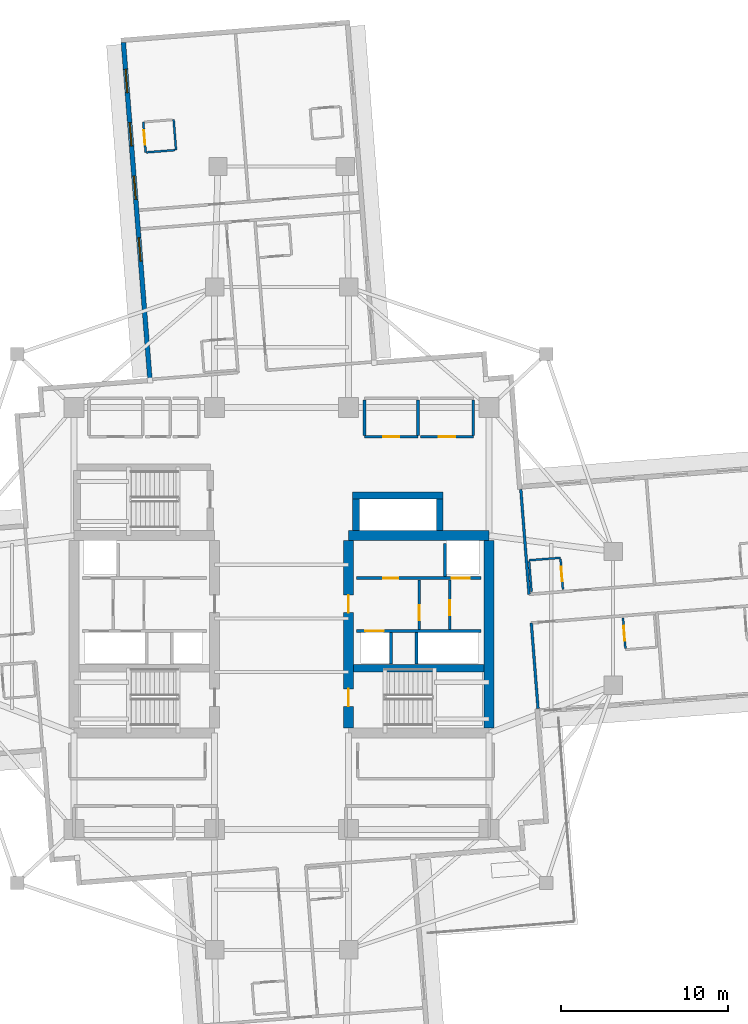
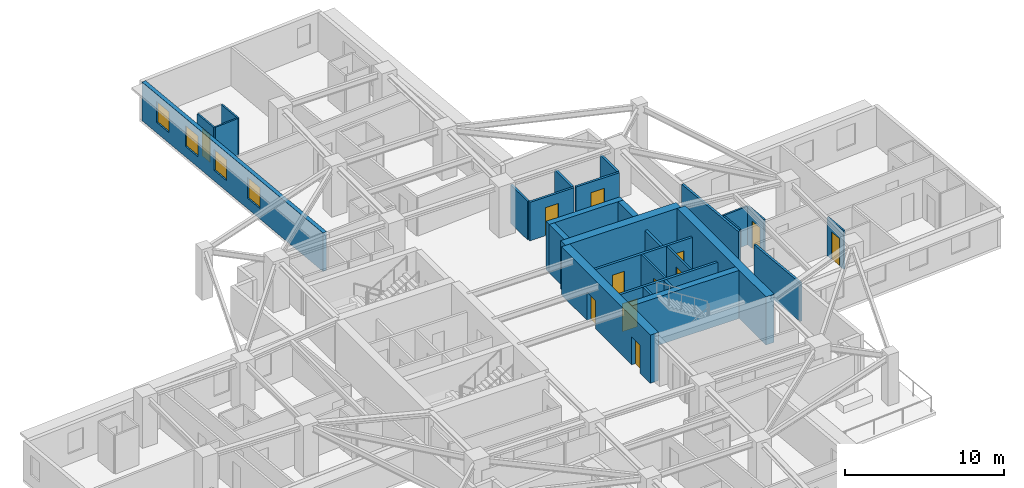
# One storey, part 7 of 14: 29 walls, 12 doors, 4 windows, 16 openings.
"""IFC4 building model written with IfcOpenShell, lengths in metres."""

from ifc_helpers import new_model, si_unit, direction, frame, frame_2d, origin, place, context, subcontext, project, spatial, rectangle, extrude, material, layer, layer_set, type_object, element, fill, save


model = new_model("IFC4")

# Units and contexts
model_context = context("Model", 3, precision=1e-05, world=origin(), true_north=direction((0.0, 1.0)))
body_context = subcontext(model_context, "Body", "Model", "MODEL_VIEW")
ifc_project = project(units=[si_unit("LENGTHUNIT", "METRE"), si_unit("AREAUNIT", "SQUARE_METRE"), si_unit("VOLUMEUNIT", "CUBIC_METRE"), si_unit("PLANEANGLEUNIT", "RADIAN"), si_unit("MASSUNIT", "GRAM", prefix="KILO")], contexts=[model_context])

# Site, building, storey
site_placement = place(None, origin())
site = spatial("IfcSite", under=ifc_project, at=site_placement, CompositionType="ELEMENT")
building_placement = place(site_placement, origin())
building = spatial("IfcBuilding", under=site, at=building_placement, Name="Qingluan Cross Belvedere", CompositionType="ELEMENT")
storey_placement = place(building_placement, frame((0.0, 0.0, 124.199951171875)))
storey = spatial("IfcBuildingStorey", under=building, at=storey_placement, Name="L31", CompositionType="ELEMENT", Elevation=124.199951171875)

# Walls
ifc_material_1 = material(Name="Concrete C50", Category="concrete")
ifc_layer_1 = layer(ifc_material_1, 0.449951171875, Name="CoreShearWall_450")
ifc_layer_set_1 = layer_set([ifc_layer_1], Name="Concrete C50")
wall_type_1 = type_object("IfcWallType", Name="CoreShearWall_450", PredefinedType="SHEAR", material=ifc_layer_set_1)
wall_1_placement = place(storey_placement, frame((4.304931640625, -2.9599609375, 0.0), z_axis=(0.0, 0.0, 1.0), x_axis=(1.0, 0.0, 0.0)))
element("IfcWall", 1, at=wall_1_placement, inside=storey, type_object=wall_type_1, Name="Split core E shear wall L31-M", PredefinedType="SHEAR", context=body_context, shape_type="SweptSolid", body=[
    extrude(rectangle(XDim=7.7900390625, YDim=0.449951171875, at=frame_2d((3.89501953125, 0.0))), origin(), (0.0, 0.0, 1.0), 3.699951171875),
])
wall_2_placement = place(storey_placement, frame((4.449951171875, 5.2548828125, 0.0), z_axis=(0.0, 0.0, 1.0), x_axis=(0.0, 1.0, 0.0)))
element("IfcWall", 2, at=wall_2_placement, inside=storey, type_object=wall_type_1, Name="Express shuttle core wall L31-W", PredefinedType="SHEAR", context=body_context, shape_type="SweptSolid", body=[
    extrude(rectangle(XDim=1.885009765625, YDim=0.39990234375, at=frame_2d((0.9423828125, 0.0))), origin(), (0.0, 0.0, 1.0), 3.699951171875),
])
wall_3_placement = place(storey_placement, frame((4.25, 7.35009765625, 0.0), z_axis=(0.0, 0.0, 1.0), x_axis=(1.0, 0.0, 0.0)))
element("IfcWall", 3, at=wall_3_placement, inside=storey, type_object=wall_type_1, Name="Express shuttle core wall L31-N", PredefinedType="SHEAR", context=body_context, shape_type="SweptSolid", body=[
    extrude(rectangle(XDim=5.39990234375, YDim=0.39990234375, at=frame_2d((2.699951171875, 0.0))), origin(), (0.0, 0.0, 1.0), 3.699951171875),
])
wall_4_placement = place(storey_placement, frame((9.449951171875, 5.2548828125, 0.0), z_axis=(0.0, 0.0, 1.0), x_axis=(0.0, 1.0, 0.0)))
element("IfcWall", 4, at=wall_4_placement, inside=storey, type_object=wall_type_1, Name="Express shuttle core wall L31-E", PredefinedType="SHEAR", context=body_context, shape_type="SweptSolid", body=[
    extrude(rectangle(XDim=1.885009765625, YDim=0.39990234375, at=frame_2d((0.9423828125, 0.0))), origin(), (0.0, 0.0, 1.0), 3.699951171875),
])
ifc_material_2 = material(Name="Concrete C60", Category="concrete")
ifc_layer_2 = layer(ifc_material_2, 0.60009765625, Name="CoreShearWall_600")
ifc_layer_set_2 = layer_set([ifc_layer_2], Name="Concrete C60")
wall_type_2 = type_object("IfcWallType", Name="CoreShearWall_600", PredefinedType="SHEAR", material=ifc_layer_set_2)
wall_5_placement = place(storey_placement, frame((4.0, 4.949951171875, 0.0), z_axis=(0.0, 0.0, 1.0), x_axis=(1.0, 0.0, 0.0)))
element("IfcWall", 5, at=wall_5_placement, inside=storey, type_object=wall_type_2, Name="Split core E shear wall L31-N", PredefinedType="SHEAR", context=body_context, shape_type="SweptSolid", body=[
    extrude(rectangle(XDim=8.39990234375, YDim=0.60009765625, at=frame_2d((4.199951171875, 0.0))), origin(), (0.0, 0.0, 1.0), 3.699951171875),
])

# Wall, openings, doors
wall_6_placement = place(storey_placement, frame((4.0, -6.544921875, 0.0), z_axis=(0.0, 0.0, 1.0), x_axis=(0.0, 1.0, 0.0)))
wall_6 = element("IfcWall", 6, at=wall_6_placement, inside=storey, type_object=wall_type_2, Name="Split core E shear wall L31-W", PredefinedType="SHEAR", context=body_context, shape_type="SweptSolid", body=[
    extrude(rectangle(XDim=11.18994140625, YDim=0.60009765625, at=frame_2d((5.594970703125, 0.0))), origin(), (0.0, 0.0, 1.0), 3.699951171875),
])
opening_1_placement = place(wall_6_placement, frame((1.294921875, 0.0, 0.0)))
opening_1 = element("IfcOpeningElement", 7, at=opening_1_placement, cuts=wall_6, Name="Opening FD-B11", PredefinedType="OPENING", context=body_context, shape_type="SweptSolid", body=[
    extrude(rectangle(XDim=1.050048828125, YDim=2.14990234375, at=frame_2d((0.52490234375, 1.074951171875))), frame((0.0, 0.31005859375, 0.0), z_axis=(0.0, -1.0, 0.0), x_axis=(1.0, 0.0, 0.0)), (0.0, 0.0, 1.0), 0.6201171875),
])
opening_2_placement = place(wall_6_placement, frame((6.89501953125, 0.0, 0.0)))
opening_2 = element("IfcOpeningElement", 8, at=opening_2_placement, cuts=wall_6, Name="Opening FD-B11", PredefinedType="OPENING", context=body_context, shape_type="SweptSolid", body=[
    extrude(rectangle(XDim=1.050048828125, YDim=2.14990234375, at=frame_2d((0.52490234375, 1.074951171875))), frame((0.0, 0.31005859375, 0.0), z_axis=(0.0, -1.0, 0.0), x_axis=(1.0, 0.0, 0.0)), (0.0, 0.0, 1.0), 0.6201171875),
])
ifc_material_3 = material(Name="Steel Class B smoke-seal fire door", Category="steel")
door_type_1 = type_object("IfcDoorType", Name="StairLobbyFireDoor_FDB", OperationType="NOTDEFINED", PredefinedType="DOOR", material=ifc_material_3)
door_1_placement = place(opening_1_placement, origin())
door_1 = element("IfcDoor", 9, at=door_1_placement, inside=storey, type_object=door_type_1, Name="Smoke-proof stair ST2 fire door L31", OperationType="SINGLE_SWING_RIGHT", OverallHeight=2.14990234375, OverallWidth=1.050048828125, PredefinedType="DOOR", context=body_context, shape_type="SweptSolid", body=[
    extrude(rectangle(XDim=1.050048828125, YDim=2.14990234375, at=frame_2d((0.52490234375, 1.074951171875))), frame((0.0, 0.02490234375, 0.0), z_axis=(0.0, -1.0, 0.0), x_axis=(1.0, 0.0, 0.0)), (0.0, 0.0, 1.0), 0.050048828125),
])
fill(opening_1, door_1)
door_2_placement = place(opening_2_placement, origin())
door_2 = element("IfcDoor", 10, at=door_2_placement, inside=storey, type_object=door_type_1, Name="Firefighting lobby East fire door L31", OperationType="SINGLE_SWING_RIGHT", OverallHeight=2.14990234375, OverallWidth=1.050048828125, PredefinedType="DOOR", context=body_context, shape_type="SweptSolid", body=[
    extrude(rectangle(XDim=1.050048828125, YDim=2.14990234375, at=frame_2d((0.52490234375, 1.074951171875))), frame((0.0, 0.02490234375, 0.0), z_axis=(0.0, -1.0, 0.0), x_axis=(1.0, 0.0, 0.0)), (0.0, 0.0, 1.0), 0.050048828125),
])
fill(opening_2, door_2)

# Wall
wall_7_placement = place(storey_placement, frame((12.39990234375, -6.544921875, 0.0), z_axis=(0.0, 0.0, 1.0), x_axis=(0.0, 1.0, 0.0)))
element("IfcWall", 11, at=wall_7_placement, inside=storey, type_object=wall_type_2, Name="Split core E shear wall L31-E", PredefinedType="SHEAR", context=body_context, shape_type="SweptSolid", body=[
    extrude(rectangle(XDim=11.18994140625, YDim=0.60009765625, at=frame_2d((5.594970703125, 0.0))), origin(), (0.0, 0.0, 1.0), 3.699951171875),
])

# Wall, opening, door
ifc_material_4 = material(Name="Gypsum plasterboard on steel stud acoustic partition", Category="steel")
ifc_layer_3 = layer(ifc_material_4, 0.159912109375, Name="CorridorPartition_160")
ifc_layer_set_3 = layer_set([ifc_layer_3], Name="Gypsum plasterboard on steel stud acoustic partition")
wall_type_3 = type_object("IfcWallType", Name="CorridorPartition_160", PredefinedType="PARTITIONING", material=ifc_layer_set_3)
wall_8_placement = place(storey_placement, frame((10.050048828125, -0.652099609375, 0.0), z_axis=(0.0, 0.0, 1.0), x_axis=(0.0, 1.0, 0.0)))
wall_8 = element("IfcWall", 12, at=wall_8_placement, inside=storey, type_object=wall_type_3, Name="Partition L31:ev", PredefinedType="PARTITIONING", context=body_context, shape_type="SweptSolid", body=[
    extrude(rectangle(XDim=2.962158203125, YDim=0.139892578125, at=frame_2d((1.48095703125, 0.0))), origin(), (0.0, 0.0, 1.0), 2.9599609375),
])
opening_3_placement = place(wall_8_placement, frame((0.85009765625, 0.0, 0.0)))
opening_3 = element("IfcOpeningElement", 13, at=opening_3_placement, cuts=wall_8, Name="Opening FD-B10", PredefinedType="OPENING", context=body_context, shape_type="SweptSolid", body=[
    extrude(rectangle(XDim=0.8798828125, YDim=2.10009765625, at=frame_2d((0.43994140625, 1.050048828125))), frame((0.0, 0.079833984375, 0.0), z_axis=(0.0, -1.0, 0.0), x_axis=(1.0, 0.0, 0.0)), (0.0, 0.0, 1.0), 0.159912109375),
])
ifc_material_5 = material(Name="Steel Class B service fire door", Category="steel")
door_type_2 = type_object("IfcDoorType", Name="RiserServiceFireDoor_FDB", OperationType="NOTDEFINED", PredefinedType="DOOR", material=ifc_material_5)
door_3_placement = place(opening_3_placement, origin())
door_3 = element("IfcDoor", 14, at=door_3_placement, inside=storey, type_object=door_type_2, Name="Service closet inner door L31", OperationType="SINGLE_SWING_LEFT", OverallHeight=2.10009765625, OverallWidth=0.8798828125, PredefinedType="DOOR", context=body_context, shape_type="SweptSolid", body=[
    extrude(rectangle(XDim=0.8798828125, YDim=2.10009765625, at=frame_2d((0.43994140625, 1.050048828125))), frame((0.0, 0.02490234375, 0.0), z_axis=(0.0, -1.0, 0.0), x_axis=(1.0, 0.0, 0.0)), (0.0, 0.0, 1.0), 0.050048828125),
])
fill(opening_3, door_3)

wall_9_placement = place(storey_placement, frame((4.949951171875, 10.85009765625, 0.0), z_axis=(0.0, 0.0, 1.0), x_axis=(1.0, 0.0, 0.0)))
wall_9 = element("IfcWall", 15, at=wall_9_placement, inside=storey, type_object=wall_type_3, Name="Partition L31:q_ne1:S", PredefinedType="PARTITIONING", context=body_context, shape_type="SweptSolid", body=[
    extrude(rectangle(XDim=3.199951171875, YDim=0.159912109375, at=frame_2d((1.60009765625, 0.0))), origin(), (0.0, 0.0, 1.0), 2.9599609375),
])
opening_4_placement = place(wall_9_placement, frame((1.1201171875, 0.0, 0.0)))
opening_4 = element("IfcOpeningElement", 16, at=opening_4_placement, cuts=wall_9, Name="Opening GD-10", PredefinedType="OPENING", context=body_context, shape_type="SweptSolid", body=[
    extrude(rectangle(XDim=0.9599609375, YDim=2.14990234375, at=frame_2d((0.47998046875, 1.074951171875))), frame((0.0, 0.08984375, 0.0), z_axis=(0.0, -1.0, 0.0), x_axis=(1.0, 0.0, 0.0)), (0.0, 0.0, 1.0), 0.179931640625),
])
ifc_material_6 = material(Name="Timber oak fire-rated acoustic guestroom door", Category="wood")
door_type_3 = type_object("IfcDoorType", Name="GuestEntryDoor_FD60", OperationType="NOTDEFINED", PredefinedType="DOOR", material=ifc_material_6)
door_4_placement = place(opening_4_placement, origin())
door_4 = element("IfcDoor", 17, at=door_4_placement, inside=storey, type_object=door_type_3, Name="Private banquet dining room L31 door", OperationType="SINGLE_SWING_LEFT", OverallHeight=2.14990234375, OverallWidth=0.9599609375, PredefinedType="DOOR", context=body_context, shape_type="SweptSolid", body=[
    extrude(rectangle(XDim=0.9599609375, YDim=2.14990234375, at=frame_2d((0.47998046875, 1.074951171875))), frame((0.0, 0.02490234375, 0.0), z_axis=(0.0, -1.0, 0.0), x_axis=(1.0, 0.0, 0.0)), (0.0, 0.0, 1.0), 0.050048828125),
])
fill(opening_4, door_4)

# Walls
for number, where, z_axis, x_axis, name in (
    (18, (4.949951171875, 10.93505859375, 0.0), (0.0, 0.0, 1.0), (0.0, 1.0, 0.0), "Partition L31:q_ne1:W"),
    (19, (8.14990234375, 10.93505859375, 0.0), (0.0, 0.0, 1.0), (0.0, 1.0, 0.0), "Partition L31:q_ne1:E"),
):
    element("IfcWall", number, at=place(storey_placement, frame(where, z_axis=z_axis, x_axis=x_axis)), inside=storey, type_object=wall_type_3, Name=name, PredefinedType="PARTITIONING", context=body_context, shape_type="SweptSolid", body=[
        extrude(rectangle(XDim=2.1298828125, YDim=0.159912109375, at=frame_2d((1.06494140625, 0.0))), origin(), (0.0, 0.0, 1.0), 2.9599609375),
    ])

# Wall, opening, door
wall_10_placement = place(storey_placement, frame((8.31005859375, 10.85009765625, 0.0), z_axis=(0.0, 0.0, 1.0), x_axis=(1.0, 0.0, 0.0)))
wall_10 = element("IfcWall", 20, at=wall_10_placement, inside=storey, type_object=wall_type_3, Name="Partition L31:q_ne2:S", PredefinedType="PARTITIONING", context=body_context, shape_type="SweptSolid", body=[
    extrude(rectangle(XDim=3.139892578125, YDim=0.159912109375, at=frame_2d((1.56982421875, 0.0))), origin(), (0.0, 0.0, 1.0), 2.9599609375),
])
opening_5_placement = place(wall_10_placement, frame((1.090087890625, 0.0, 0.0)))
opening_5 = element("IfcOpeningElement", 21, at=opening_5_placement, cuts=wall_10, Name="Opening GD-10", PredefinedType="OPENING", context=body_context, shape_type="SweptSolid", body=[
    extrude(rectangle(XDim=0.9599609375, YDim=2.14990234375, at=frame_2d((0.47998046875, 1.074951171875))), frame((0.0, 0.08984375, 0.0), z_axis=(0.0, -1.0, 0.0), x_axis=(1.0, 0.0, 0.0)), (0.0, 0.0, 1.0), 0.179931640625),
])
door_5_placement = place(opening_5_placement, origin())
door_5 = element("IfcDoor", 22, at=door_5_placement, inside=storey, type_object=door_type_3, Name="Northeast quiet study L31 door", OperationType="SINGLE_SWING_RIGHT", OverallHeight=2.14990234375, OverallWidth=0.9599609375, PredefinedType="DOOR", context=body_context, shape_type="SweptSolid", body=[
    extrude(rectangle(XDim=0.9599609375, YDim=2.14990234375, at=frame_2d((0.47998046875, 1.074951171875))), frame((0.0, 0.02490234375, 0.0), z_axis=(0.0, -1.0, 0.0), x_axis=(1.0, 0.0, 0.0)), (0.0, 0.0, 1.0), 0.050048828125),
])
fill(opening_5, door_5)

# Walls
wall_11_placement = place(storey_placement, frame((11.449951171875, 10.93505859375, 0.0), z_axis=(0.0, 0.0, 1.0), x_axis=(0.0, 1.0, 0.0)))
element("IfcWall", 23, at=wall_11_placement, inside=storey, type_object=wall_type_3, Name="Partition L31:q_ne2:E", PredefinedType="PARTITIONING", context=body_context, shape_type="SweptSolid", body=[
    extrude(rectangle(XDim=2.1298828125, YDim=0.159912109375, at=frame_2d((1.06494140625, 0.0))), origin(), (0.0, 0.0, 1.0), 2.9599609375),
])
wall_12_placement = place(storey_placement, frame((14.7822265625, 1.4443359375, 0.0), z_axis=(0.0, 0.0, 1.0), x_axis=(-0.078458931765, 0.996917346637, 0.0)))
element("IfcWall", 24, at=wall_12_placement, inside=storey, type_object=wall_type_3, Name="Partition L31:E:s0", PredefinedType="PARTITIONING", context=body_context, shape_type="SweptSolid", body=[
    extrude(rectangle(XDim=6.291748046875, YDim=0.159912109375, at=frame_2d((3.14599609375, 0.0))), origin(), (0.0, 0.0, 1.0), 2.9599609375),
])
wall_13_placement = place(storey_placement, frame((14.917236328125, -0.2705078125, 0.0), z_axis=(0.0, 0.0, 1.0), x_axis=(0.078446190021, -0.99691834935, 0.0)))
element("IfcWall", 25, at=wall_13_placement, inside=storey, type_object=wall_type_3, Name="Partition L31:E:s1", PredefinedType="PARTITIONING", context=body_context, shape_type="SweptSolid", body=[
    extrude(rectangle(XDim=5.132080078125, YDim=0.159912109375, at=frame_2d((2.56591796875, 0.0))), origin(), (0.0, 0.0, 1.0), 2.9599609375),
])

# Wall, opening, door
ifc_material_7 = material(Name="Moisture-resistant gypsum board lining")
ifc_layer_4 = layer(ifc_material_7, 0.1201171875, Name="EnsuiteWetPartition_120")
ifc_layer_set_4 = layer_set([ifc_layer_4], Name="Moisture-resistant gypsum board lining")
wall_type_4 = type_object("IfcWallType", Name="EnsuiteWetPartition_120", PredefinedType="PARTITIONING", material=ifc_layer_set_4)
wall_14_placement = place(storey_placement, frame((16.804931640625, 1.743896484375, 0.0), z_axis=(0.0, 0.0, 1.0), x_axis=(-0.0784709492, 0.996916400774, 0.0)))
wall_14 = element("IfcWall", 26, at=wall_14_placement, inside=storey, type_object=wall_type_4, Name="Partition L31:E:bs0_0", PredefinedType="PARTITIONING", context=body_context, shape_type="SweptSolid", body=[
    extrude(rectangle(XDim=1.820068359375, YDim=0.1201171875, at=frame_2d((0.91015625, 0.0))), origin(), (0.0, 0.0, 1.0), 2.9599609375),
])
opening_6_placement = place(wall_14_placement, frame((0.469970703125, 0.0, 0.0)))
opening_6 = element("IfcOpeningElement", 27, at=opening_6_placement, cuts=wall_14, Name="Opening BD-09", PredefinedType="OPENING", context=body_context, shape_type="SweptSolid", body=[
    extrude(rectangle(XDim=0.8798828125, YDim=2.10009765625, at=frame_2d((0.43994140625, 1.050048828125))), frame((0.0, 0.070068359375, 0.0), z_axis=(0.0, -1.0, 0.0), x_axis=(1.0, 0.0, 0.0)), (0.0, 0.0, 1.0), 0.14013671875),
])
ifc_material_8 = material(Name="Moisture-sealed timber en-suite door", Category="wood")
door_type_4 = type_object("IfcDoorType", Name="BathroomDoor_880", OperationType="NOTDEFINED", PredefinedType="DOOR", material=ifc_material_8)
door_6_placement = place(opening_6_placement, origin())
door_6 = element("IfcDoor", 28, at=door_6_placement, inside=storey, type_object=door_type_4, Name="Bathroom door 3101", OperationType="SINGLE_SWING_LEFT", OverallHeight=2.10009765625, OverallWidth=0.8798828125, PredefinedType="DOOR", context=body_context, shape_type="SweptSolid", body=[
    extrude(rectangle(XDim=0.8798828125, YDim=2.10009765625, at=frame_2d((0.43994140625, 1.050048828125))), frame((0.0, 0.02490234375, 0.0), z_axis=(0.0, -1.0, 0.0), x_axis=(1.0, 0.0, 0.0)), (0.0, 0.0, 1.0), 0.050048828125),
])
fill(opening_6, door_6)

# Walls
wall_15_placement = place(storey_placement, frame((14.930908203125, 1.596435546875, 0.0), z_axis=(0.0, 0.0, 1.0), x_axis=(-0.0784709492, 0.996916400774, 0.0)))
element("IfcWall", 29, at=wall_15_placement, inside=storey, type_object=wall_type_4, Name="Partition L31:E:bw0_0", PredefinedType="PARTITIONING", context=body_context, shape_type="SweptSolid", body=[
    extrude(rectangle(XDim=1.820068359375, YDim=0.1201171875, at=frame_2d((0.91015625, 0.0))), origin(), (0.0, 0.0, 1.0), 2.9599609375),
])
wall_16_placement = place(storey_placement, frame((14.782958984375, 3.4755859375, 0.0), z_axis=(0.0, 0.0, 1.0), x_axis=(0.99691849475, 0.078444342213, 0.0)))
element("IfcWall", 30, at=wall_16_placement, inside=storey, type_object=wall_type_4, Name="Partition L31:E:bn0_0", PredefinedType="PARTITIONING", context=body_context, shape_type="SweptSolid", body=[
    extrude(rectangle(XDim=1.8798828125, YDim=0.1201171875, at=frame_2d((0.93994140625, 0.0))), origin(), (0.0, 0.0, 1.0), 2.9599609375),
])

# Wall, opening, door
wall_17_placement = place(storey_placement, frame((20.5390625, -1.794189453125, 0.0), z_axis=(0.0, 0.0, 1.0), x_axis=(-0.0784709492, 0.996916400774, 0.0)))
wall_17 = element("IfcWall", 31, at=wall_17_placement, inside=storey, type_object=wall_type_4, Name="Partition L31:E:bs1_0", PredefinedType="PARTITIONING", context=body_context, shape_type="SweptSolid", body=[
    extrude(rectangle(XDim=1.820068359375, YDim=0.1201171875, at=frame_2d((0.91015625, 0.0))), origin(), (0.0, 0.0, 1.0), 2.9599609375),
])
opening_7_placement = place(wall_17_placement, frame((0.469970703125, 0.0, 0.0)))
opening_7 = element("IfcOpeningElement", 32, at=opening_7_placement, cuts=wall_17, Name="Opening BD-09", PredefinedType="OPENING", context=body_context, shape_type="SweptSolid", body=[
    extrude(rectangle(XDim=0.8798828125, YDim=2.10009765625, at=frame_2d((0.43994140625, 1.050048828125))), frame((0.0, 0.070068359375, 0.0), z_axis=(0.0, -1.0, 0.0), x_axis=(1.0, 0.0, 0.0)), (0.0, 0.0, 1.0), 0.14013671875),
])
door_7_placement = place(opening_7_placement, origin())
door_7 = element("IfcDoor", 33, at=door_7_placement, inside=storey, type_object=door_type_4, Name="Bathroom door 3103", OperationType="SINGLE_SWING_LEFT", OverallHeight=2.10009765625, OverallWidth=0.8798828125, PredefinedType="DOOR", context=body_context, shape_type="SweptSolid", body=[
    extrude(rectangle(XDim=0.8798828125, YDim=2.10009765625, at=frame_2d((0.43994140625, 1.050048828125))), frame((0.0, 0.02490234375, 0.0), z_axis=(0.0, -1.0, 0.0), x_axis=(1.0, 0.0, 0.0)), (0.0, 0.0, 1.0), 0.050048828125),
])
fill(opening_7, door_7)

wall_18_placement = place(storey_placement, frame((-8.119140625, 27.8388671875, 0.0), z_axis=(0.0, 0.0, 1.0), x_axis=(-0.0784709492, 0.996916400774, 0.0)))
wall_18 = element("IfcWall", 34, at=wall_18_placement, inside=storey, type_object=wall_type_4, Name="Partition L31:Ncap:b1s", PredefinedType="PARTITIONING", context=body_context, shape_type="SweptSolid", body=[
    extrude(rectangle(XDim=1.820068359375, YDim=0.1201171875, at=frame_2d((0.91015625, 0.0))), origin(), (0.0, 0.0, 1.0), 2.9599609375),
])
opening_8_placement = place(wall_18_placement, frame((0.449951171875, 0.0, 0.0)))
opening_8 = element("IfcOpeningElement", 35, at=opening_8_placement, cuts=wall_18, Name="Opening BD-09", PredefinedType="OPENING", context=body_context, shape_type="SweptSolid", body=[
    extrude(rectangle(XDim=0.8798828125, YDim=2.10009765625, at=frame_2d((0.43994140625, 1.050048828125))), frame((0.0, 0.070068359375, 0.0), z_axis=(0.0, -1.0, 0.0), x_axis=(1.0, 0.0, 0.0)), (0.0, 0.0, 1.0), 0.14013671875),
])
door_8_placement = place(opening_8_placement, origin())
door_8 = element("IfcDoor", 36, at=door_8_placement, inside=storey, type_object=door_type_4, Name="En-suite bathroom door L31N1", OperationType="SINGLE_SWING_RIGHT", OverallHeight=2.10009765625, OverallWidth=0.8798828125, PredefinedType="DOOR", context=body_context, shape_type="SweptSolid", body=[
    extrude(rectangle(XDim=0.8798828125, YDim=2.10009765625, at=frame_2d((0.43994140625, 1.050048828125))), frame((0.0, 0.02490234375, 0.0), z_axis=(0.0, -1.0, 0.0), x_axis=(1.0, 0.0, 0.0)), (0.0, 0.0, 1.0), 0.050048828125),
])
fill(opening_8, door_8)

# Walls
wall_19_placement = place(storey_placement, frame((-6.3046875, 27.981689453125, 0.0), z_axis=(0.0, 0.0, 1.0), x_axis=(-0.078481444107, 0.996915574626, 0.0)))
element("IfcWall", 37, at=wall_19_placement, inside=storey, type_object=wall_type_4, Name="Partition L31:Ncap:b1b", PredefinedType="PARTITIONING", context=body_context, shape_type="SweptSolid", body=[
    extrude(rectangle(XDim=1.81982421875, YDim=0.1201171875, at=frame_2d((0.909912109375, 0.0))), origin(), (0.0, 0.0, 1.0), 2.9599609375),
])
wall_20_placement = place(storey_placement, frame((-8.059326171875, 27.843505859375, 0.0), z_axis=(0.0, 0.0, 1.0), x_axis=(0.996920349899, 0.078420762289, 0.0)))
element("IfcWall", 38, at=wall_20_placement, inside=storey, type_object=wall_type_4, Name="Partition L31:Ncap:b1a", PredefinedType="PARTITIONING", context=body_context, shape_type="SweptSolid", body=[
    extrude(rectangle(XDim=1.69970703125, YDim=0.1201171875, at=frame_2d((0.849853515625, 0.0))), origin(), (0.0, 0.0, 1.0), 2.9599609375),
])

# Wall, openings, windows
ifc_material_9 = material(Name="Precast concrete C45", Category="concrete")
ifc_layer_5 = layer(ifc_material_9, 0.280029296875, Name="PrecastFacadeWall_280")
ifc_layer_set_5 = layer_set([ifc_layer_5], Name="Precast concrete C45")
wall_type_5 = type_object("IfcWallType", Name="PrecastFacadeWall_280", PredefinedType="STANDARD", material=ifc_layer_set_5)
wall_21_placement = place(storey_placement, frame((-9.448486328125, 34.40478515625, 0.0), z_axis=(0.0, 0.0, 1.0), x_axis=(0.078452802979, -0.996917828963, 0.0)))
wall_21 = element("IfcWall", 39, at=wall_21_placement, inside=storey, type_object=wall_type_5, Name="Facade wall L31-NB", PredefinedType="STANDARD", context=body_context, shape_type="SweptSolid", body=[
    extrude(rectangle(XDim=20.10009765625, YDim=0.280029296875, at=frame_2d((10.050048828125, 0.0))), origin(), (0.0, 0.0, 1.0), 2.969970703125),
])
opening_9_placement = place(wall_21_placement, frame((1.60009765625, 0.0, 0.800048828125)))
opening_9 = element("IfcOpeningElement", 40, at=opening_9_placement, cuts=wall_21, Name="Opening W-01", PredefinedType="OPENING", context=body_context, shape_type="SweptSolid", body=[
    extrude(rectangle(XDim=1.39990234375, YDim=1.60009765625, at=frame_2d((0.699951171875, 0.800048828125))), frame((0.0, 0.14990234375, 0.0), z_axis=(0.0, -1.0, 0.0), x_axis=(1.0, 0.0, 0.0)), (0.0, 0.0, 1.0), 0.300048828125),
])
opening_10_placement = place(wall_21_placement, frame((4.800048828125, 0.0, 0.800048828125)))
opening_10 = element("IfcOpeningElement", 41, at=opening_10_placement, cuts=wall_21, Name="Opening W-01", PredefinedType="OPENING", context=body_context, shape_type="SweptSolid", body=[
    extrude(rectangle(XDim=1.39990234375, YDim=1.60009765625, at=frame_2d((0.699951171875, 0.800048828125))), frame((0.0, 0.14990234375, 0.0), z_axis=(0.0, -1.0, 0.0), x_axis=(1.0, 0.0, 0.0)), (0.0, 0.0, 1.0), 0.300048828125),
])
opening_11_placement = place(wall_21_placement, frame((8.0, 0.0, 0.800048828125)))
opening_11 = element("IfcOpeningElement", 42, at=opening_11_placement, cuts=wall_21, Name="Opening W-01", PredefinedType="OPENING", context=body_context, shape_type="SweptSolid", body=[
    extrude(rectangle(XDim=1.39990234375, YDim=1.60009765625, at=frame_2d((0.699951171875, 0.800048828125))), frame((0.0, 0.14990234375, 0.0), z_axis=(0.0, -1.0, 0.0), x_axis=(1.0, 0.0, 0.0)), (0.0, 0.0, 1.0), 0.300048828125),
])
opening_12_placement = place(wall_21_placement, frame((11.699951171875, 0.0, 0.800048828125)))
opening_12 = element("IfcOpeningElement", 43, at=opening_12_placement, cuts=wall_21, Name="Opening W-01", PredefinedType="OPENING", context=body_context, shape_type="SweptSolid", body=[
    extrude(rectangle(XDim=1.39990234375, YDim=1.60009765625, at=frame_2d((0.699951171875, 0.800048828125))), frame((0.0, 0.14990234375, 0.0), z_axis=(0.0, -1.0, 0.0), x_axis=(1.0, 0.0, 0.0)), (0.0, 0.0, 1.0), 0.300048828125),
])
ifc_material_10 = material(Name="Thermally broken triple Low-E glass in aluminium frame", Category="aluminium")
window_type = type_object("IfcWindowType", Name="TriRibbonWin_1400x1600", PartitioningType="SINGLE_PANEL", PredefinedType="WINDOW", material=ifc_material_10)
window_1_placement = place(opening_9_placement, origin())
window_1 = element("IfcWindow", 44, at=window_1_placement, inside=storey, type_object=window_type, Name="Ribbon window L31-NB-1", OverallHeight=1.60009765625, OverallWidth=1.39990234375, PartitioningType="SINGLE_PANEL", PredefinedType="WINDOW", context=body_context, shape_type="SweptSolid", body=[
    extrude(rectangle(XDim=1.39990234375, YDim=1.60009765625, at=frame_2d((0.699951171875, 0.800048828125))), frame((0.0, 0.030029296875, 0.0), z_axis=(0.0, -1.0, 0.0), x_axis=(1.0, 0.0, 0.0)), (0.0, 0.0, 1.0), 0.06005859375),
])
fill(opening_9, window_1)
window_2_placement = place(opening_10_placement, origin())
window_2 = element("IfcWindow", 45, at=window_2_placement, inside=storey, type_object=window_type, Name="Ribbon window L31-NB-2", OverallHeight=1.60009765625, OverallWidth=1.39990234375, PartitioningType="SINGLE_PANEL", PredefinedType="WINDOW", context=body_context, shape_type="SweptSolid", body=[
    extrude(rectangle(XDim=1.39990234375, YDim=1.60009765625, at=frame_2d((0.699951171875, 0.800048828125))), frame((0.0, 0.030029296875, 0.0), z_axis=(0.0, -1.0, 0.0), x_axis=(1.0, 0.0, 0.0)), (0.0, 0.0, 1.0), 0.06005859375),
])
fill(opening_10, window_2)
window_3_placement = place(opening_11_placement, origin())
window_3 = element("IfcWindow", 46, at=window_3_placement, inside=storey, type_object=window_type, Name="Ribbon window L31-NB-3", OverallHeight=1.60009765625, OverallWidth=1.39990234375, PartitioningType="SINGLE_PANEL", PredefinedType="WINDOW", context=body_context, shape_type="SweptSolid", body=[
    extrude(rectangle(XDim=1.39990234375, YDim=1.60009765625, at=frame_2d((0.699951171875, 0.800048828125))), frame((0.0, 0.030029296875, 0.0), z_axis=(0.0, -1.0, 0.0), x_axis=(1.0, 0.0, 0.0)), (0.0, 0.0, 1.0), 0.06005859375),
])
fill(opening_11, window_3)
window_4_placement = place(opening_12_placement, origin())
window_4 = element("IfcWindow", 47, at=window_4_placement, inside=storey, type_object=window_type, Name="Ribbon window L31-NB-4", OverallHeight=1.60009765625, OverallWidth=1.39990234375, PartitioningType="SINGLE_PANEL", PredefinedType="WINDOW", context=body_context, shape_type="SweptSolid", body=[
    extrude(rectangle(XDim=1.39990234375, YDim=1.60009765625, at=frame_2d((0.699951171875, 0.800048828125))), frame((0.0, 0.030029296875, 0.0), z_axis=(0.0, -1.0, 0.0), x_axis=(1.0, 0.0, 0.0)), (0.0, 0.0, 1.0), 0.06005859375),
])
fill(opening_12, window_4)

# Wall, openings, doors
ifc_material_11 = material(Name="Concrete C40", Category="concrete")
ifc_layer_6 = layer(ifc_material_11, 0.219970703125, Name="ShaftEnclosureWall_250")
ifc_layer_set_6 = layer_set([ifc_layer_6], Name="Concrete C40")
wall_type_6 = type_object("IfcWallType", Name="ShaftEnclosureWall_250", PredefinedType="SOLIDWALL", material=ifc_layer_set_6)
wall_22_placement = place(storey_placement, frame((4.47998046875, 2.409912109375, 0.0), z_axis=(0.0, 0.0, 1.0), x_axis=(1.0, 0.0, 0.0)))
wall_22 = element("IfcWall", 48, at=wall_22_placement, inside=storey, type_object=wall_type_6, Name="Core-E north hoistway wall L31", PredefinedType="SOLIDWALL", context=body_context, shape_type="SweptSolid", body=[
    extrude(rectangle(XDim=7.419921875, YDim=0.179931640625, at=frame_2d((3.7099609375, 0.0))), origin(), (0.0, 0.0, 1.0), 2.9599609375),
])
opening_13_placement = place(wall_22_placement, frame((5.669921875, 0.0, 0.0)))
opening_13 = element("IfcOpeningElement", 49, at=opening_13_placement, cuts=wall_22, Name="Opening LD-11", PredefinedType="OPENING", context=body_context, shape_type="SweptSolid", body=[
    extrude(rectangle(XDim=1.10009765625, YDim=2.14990234375, at=frame_2d((0.550048828125, 1.074951171875))), frame((0.0, 0.099853515625, 0.0), z_axis=(0.0, -1.0, 0.0), x_axis=(1.0, 0.0, 0.0)), (0.0, 0.0, 1.0), 0.199951171875),
])
opening_14_placement = place(wall_22_placement, frame((1.60009765625, 0.0, 0.0)))
opening_14 = element("IfcOpeningElement", 50, at=opening_14_placement, cuts=wall_22, Name="Opening FD-B10", PredefinedType="OPENING", context=body_context, shape_type="SweptSolid", body=[
    extrude(rectangle(XDim=0.8798828125, YDim=2.10009765625, at=frame_2d((0.43994140625, 1.050048828125))), frame((0.0, 0.099853515625, 0.0), z_axis=(0.0, -1.0, 0.0), x_axis=(1.0, 0.0, 0.0)), (0.0, 0.0, 1.0), 0.199951171875),
])
ifc_material_12 = material(Name="Brushed stainless steel centre-opening lift landing door", Category="steel")
door_type_5 = type_object("IfcDoorType", Name="LiftLandingSlidingDoor_1100", OperationType="DOUBLE_DOOR_SLIDING", PredefinedType="DOOR", material=ifc_material_12)
door_9_placement = place(opening_13_placement, origin())
door_9 = element("IfcDoor", 51, at=door_9_placement, inside=storey, type_object=door_type_5, Name="Lift landing sliding door FL2 L31", OperationType="DOUBLE_DOOR_SLIDING", OverallHeight=2.14990234375, OverallWidth=1.10009765625, PredefinedType="DOOR", context=body_context, shape_type="SweptSolid", body=[
    extrude(rectangle(XDim=1.10009765625, YDim=2.14990234375, at=frame_2d((0.550048828125, 1.074951171875))), frame((0.0, 0.02490234375, 0.0), z_axis=(0.0, -1.0, 0.0), x_axis=(1.0, 0.0, 0.0)), (0.0, 0.0, 1.0), 0.050048828125),
])
fill(opening_13, door_9)
door_10_placement = place(opening_14_placement, origin())
door_10 = element("IfcDoor", 52, at=door_10_placement, inside=storey, type_object=door_type_2, Name="Pantry room door E L31", OperationType="SINGLE_SWING_LEFT", OverallHeight=2.10009765625, OverallWidth=0.8798828125, PredefinedType="DOOR", context=body_context, shape_type="SweptSolid", body=[
    extrude(rectangle(XDim=0.8798828125, YDim=2.10009765625, at=frame_2d((0.43994140625, 1.050048828125))), frame((0.0, 0.02490234375, 0.0), z_axis=(0.0, -1.0, 0.0), x_axis=(1.0, 0.0, 0.0)), (0.0, 0.0, 1.0), 0.050048828125),
])
fill(opening_14, door_10)

# Wall, opening, door
wall_23_placement = place(storey_placement, frame((4.47998046875, -0.75, 0.0), z_axis=(0.0, 0.0, 1.0), x_axis=(1.0, 0.0, 0.0)))
wall_23 = element("IfcWall", 53, at=wall_23_placement, inside=storey, type_object=wall_type_6, Name="Core-E mid hoistway wall L31", PredefinedType="SOLIDWALL", context=body_context, shape_type="SweptSolid", body=[
    extrude(rectangle(XDim=7.419921875, YDim=0.179931640625, at=frame_2d((3.7099609375, 0.0))), origin(), (0.0, 0.0, 1.0), 2.9599609375),
])
opening_15_placement = place(wall_23_placement, frame((0.52001953125, 0.0, 0.0)))
opening_15 = element("IfcOpeningElement", 54, at=opening_15_placement, cuts=wall_23, Name="Opening LD-11", PredefinedType="OPENING", context=body_context, shape_type="SweptSolid", body=[
    extrude(rectangle(XDim=1.10009765625, YDim=2.14990234375, at=frame_2d((0.550048828125, 1.074951171875))), frame((0.0, 0.099853515625, 0.0), z_axis=(0.0, -1.0, 0.0), x_axis=(1.0, 0.0, 0.0)), (0.0, 0.0, 1.0), 0.199951171875),
])
door_11_placement = place(opening_15_placement, origin())
door_11 = element("IfcDoor", 55, at=door_11_placement, inside=storey, type_object=door_type_5, Name="Lift landing sliding door LP7 L31", OperationType="DOUBLE_DOOR_SLIDING", OverallHeight=2.14990234375, OverallWidth=1.10009765625, PredefinedType="DOOR", context=body_context, shape_type="SweptSolid", body=[
    extrude(rectangle(XDim=1.10009765625, YDim=2.14990234375, at=frame_2d((0.550048828125, 1.074951171875))), frame((0.0, 0.02490234375, 0.0), z_axis=(0.0, -1.0, 0.0), x_axis=(1.0, 0.0, 0.0)), (0.0, 0.0, 1.0), 0.050048828125),
])
fill(opening_15, door_11)

# Walls
wall_24_placement = place(storey_placement, frame((9.760009765625, 2.5, 0.0), z_axis=(0.0, 0.0, 1.0), x_axis=(0.0, 1.0, 0.0)))
element("IfcWall", 56, at=wall_24_placement, inside=storey, type_object=wall_type_6, Name="Hoistway enclosure divider FL2W L31", PredefinedType="SOLIDWALL", context=body_context, shape_type="SweptSolid", body=[
    extrude(rectangle(XDim=1.989990234375, YDim=0.179931640625, at=frame_2d((0.9951171875, 0.0))), origin(), (0.0, 0.0, 1.0), 2.9599609375),
])
for number, where, z_axis, x_axis, name in (
    (57, (6.5400390625, -2.72998046875, 0.0), (0.0, 0.0, 1.0), (0.0, 1.0, 0.0), "Hoistway enclosure divider LP7E L31"),
    (58, (8.06005859375, -2.72998046875, 0.0), (0.0, 0.0, 1.0), (0.0, 1.0, 0.0), "Hoistway enclosure divider LP9W L31"),
):
    element("IfcWall", number, at=place(storey_placement, frame(where, z_axis=z_axis, x_axis=x_axis)), inside=storey, type_object=wall_type_6, Name=name, PredefinedType="SOLIDWALL", context=body_context, shape_type="SweptSolid", body=[
        extrude(rectangle(XDim=1.889892578125, YDim=0.179931640625, at=frame_2d((0.94482421875, 0.0))), origin(), (0.0, 0.0, 1.0), 2.9599609375),
    ])

# Wall, opening, door
wall_25_placement = place(storey_placement, frame((8.219970703125, -0.64990234375, 0.0), z_axis=(0.0, 0.0, 1.0), x_axis=(0.0, 1.0, 0.0)))
wall_25 = element("IfcWall", 59, at=wall_25_placement, inside=storey, type_object=wall_type_6, Name="Core-E service corridor wall L31", PredefinedType="SOLIDWALL", context=body_context, shape_type="SweptSolid", body=[
    extrude(rectangle(XDim=2.9599609375, YDim=0.139892578125, at=frame_2d((1.47998046875, 0.0))), origin(), (0.0, 0.0, 1.0), 2.9599609375),
])
opening_16_placement = place(wall_25_placement, frame((0.550048828125, 0.0, 0.0)))
opening_16 = element("IfcOpeningElement", 60, at=opening_16_placement, cuts=wall_25, Name="Opening FD-B10", PredefinedType="OPENING", context=body_context, shape_type="SweptSolid", body=[
    extrude(rectangle(XDim=0.8798828125, YDim=2.10009765625, at=frame_2d((0.43994140625, 1.050048828125))), frame((0.0, 0.079833984375, 0.0), z_axis=(0.0, -1.0, 0.0), x_axis=(1.0, 0.0, 0.0)), (0.0, 0.0, 1.0), 0.159912109375),
])
door_12_placement = place(opening_16_placement, origin())
door_12 = element("IfcDoor", 61, at=door_12_placement, inside=storey, type_object=door_type_2, Name="Core-E service room door L31", OperationType="SINGLE_SWING_LEFT", OverallHeight=2.10009765625, OverallWidth=0.8798828125, PredefinedType="DOOR", context=body_context, shape_type="SweptSolid", body=[
    extrude(rectangle(XDim=0.8798828125, YDim=2.10009765625, at=frame_2d((0.43994140625, 1.050048828125))), frame((0.0, 0.02490234375, 0.0), z_axis=(0.0, -1.0, 0.0), x_axis=(1.0, 0.0, 0.0)), (0.0, 0.0, 1.0), 0.050048828125),
])
fill(opening_16, door_12)

save(model, "model.ifc")
